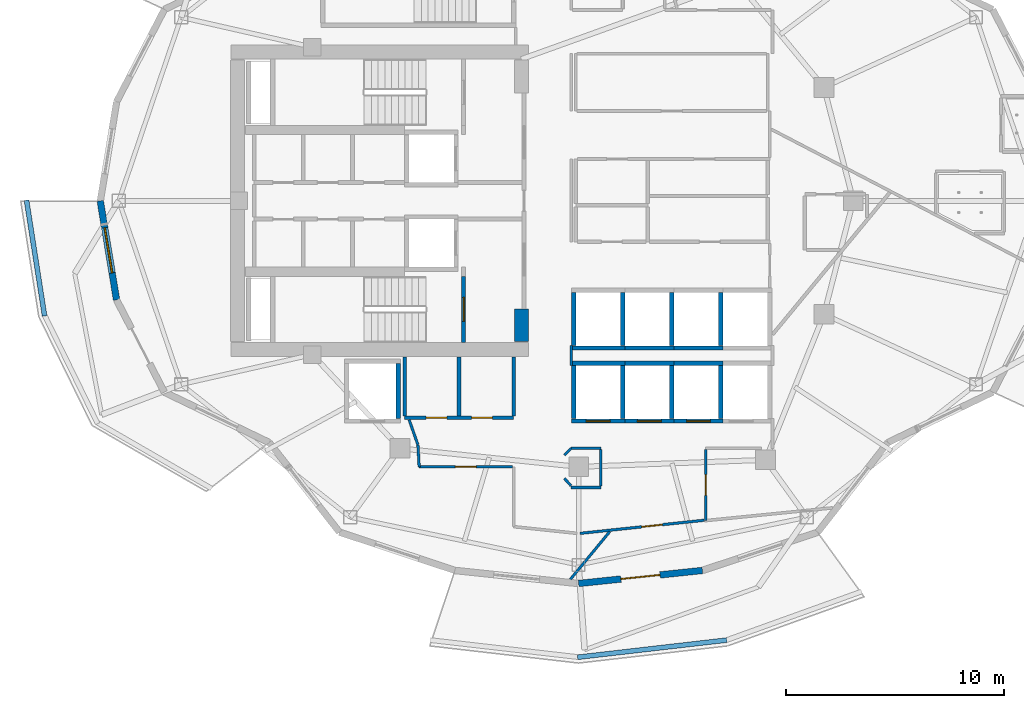
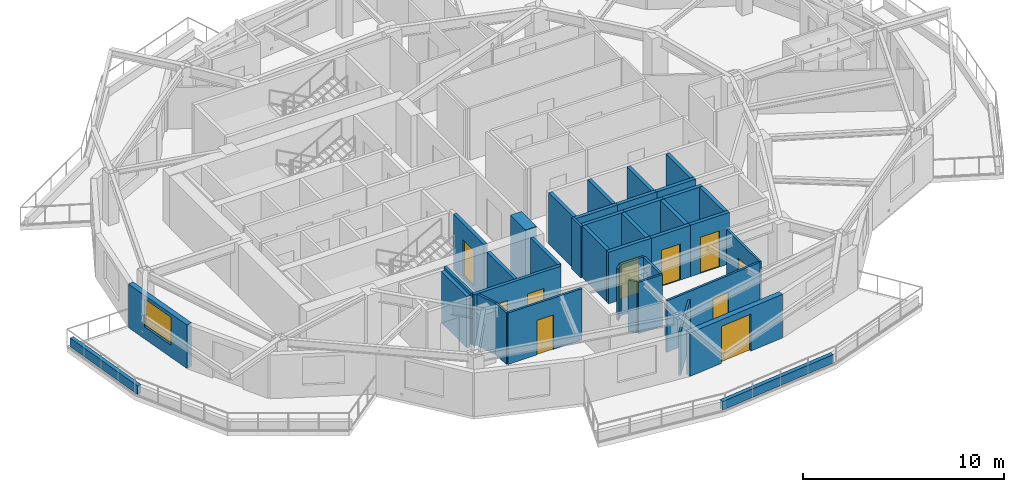
# One storey, part 3 of 14: 40 walls, 10 doors, 1 window, 11 openings.
"""IFC4 building model written with IfcOpenShell, lengths in metres."""

import ifcopenshell
import ifcopenshell.guid

model = None  # the IFC model being written
_history = None  # IfcOwnerHistory: only IFC2X3 demands one
_inside = {}  # id of a spatial element -> (the spatial element, [elements in it])
_under = {}  # id of a project, library or spatial element -> (it, [spatial elements below it])
_declared = {}  # id of a project -> (the project, [libraries it declares])
_typed = {}  # id of a type object -> (the type object, [elements of that type])
_made_of = {}  # id of a material, layer set ... -> (it, [elements and type objects made of it])


def new_model(schema):
    """Start an empty IFC model of exactly this schema.

    Asked for "IFC4X3", IfcOpenShell would pick the latest addendum, in which some entities
    have other attributes; the version numbers below select the first issue.
    IFC2X3 requires an IfcOwnerHistory on every rooted entity: one is made here for all.
    """
    global model, _history
    if schema == "IFC4X3":
        model = ifcopenshell.file(schema_version=(4, 3, 0, 0))
    else:
        model = ifcopenshell.file(schema=schema)
    _inside.clear()
    _under.clear()
    _declared.clear()
    _typed.clear()
    _made_of.clear()
    _history = None
    if model.schema == "IFC2X3":
        org = make("IfcOrganization", Name="unknown")
        user = make(
            "IfcPersonAndOrganization",
            ThePerson=make("IfcPerson", FamilyName="unknown"),
            TheOrganization=org,
        )
        app = make(
            "IfcApplication",
            ApplicationDeveloper=org,
            Version="unknown",
            ApplicationFullName="unknown",
            ApplicationIdentifier="unknown",
        )
        _history = make(
            "IfcOwnerHistory",
            OwningUser=user,
            OwningApplication=app,
            ChangeAction="ADDED",
            CreationDate=0,
        )
    return model


def make(cls, **values):
    """One entity of the class cls with the attributes given. An attribute that is None is left unset."""
    return model.create_entity(
        cls, **{name: value for name, value in values.items() if value is not None}
    )


def rooted(cls, **values):
    """An entity with a GlobalId (a new one), such as an element, a storey or a relation."""
    return make(cls, GlobalId=ifcopenshell.guid.new(), OwnerHistory=_history, **values)


def si_unit(unit_type, name, prefix=None):
    """IfcSIUnit, for example si_unit("LENGTHUNIT", "METRE", prefix="MILLI")."""
    return make("IfcSIUnit", UnitType=unit_type, Prefix=prefix, Name=name)


def assignment(units):
    """IfcUnitAssignment: the units of a project."""
    return None if units is None else make("IfcUnitAssignment", Units=units)


def point(xyz):
    """IfcCartesianPoint."""
    return None if xyz is None else make("IfcCartesianPoint", Coordinates=xyz)


def direction(xyz):
    """IfcDirection."""
    return None if xyz is None else make("IfcDirection", DirectionRatios=xyz)


def frame(location, z_axis=None, x_axis=None):
    """IfcAxis2Placement3D, a coordinate frame: its origin and axes. An axis left out is left unset."""
    return make(
        "IfcAxis2Placement3D",
        Location=point(location),
        Axis=direction(z_axis),
        RefDirection=direction(x_axis),
    )


def frame_2d(location, x_axis=None):
    """IfcAxis2Placement2D, a coordinate frame in the plane: its origin and x axis."""
    return make(
        "IfcAxis2Placement2D", Location=point(location), RefDirection=direction(x_axis)
    )


def origin():
    """The frame at (0, 0, 0) with its axes left unset."""
    return frame((0.0, 0.0, 0.0))


def place(relative_to, where):
    """IfcLocalPlacement: puts the frame where relative to a parent placement (None: the world)."""
    return make(
        "IfcLocalPlacement", PlacementRelTo=relative_to, RelativePlacement=where
    )


def context(
    kind, dimensions, precision=None, world=None, true_north=None, identifier=None
):
    """IfcGeometricRepresentationContext, for example the 3D "Model" context."""
    return make(
        "IfcGeometricRepresentationContext",
        ContextIdentifier=identifier,
        ContextType=kind,
        CoordinateSpaceDimension=dimensions,
        Precision=precision,
        WorldCoordinateSystem=world,
        TrueNorth=true_north,
    )


def subcontext(parent, identifier, kind, view, scale=None):
    """IfcGeometricRepresentationSubContext, for example "Body" below "Model"."""
    return make(
        "IfcGeometricRepresentationSubContext",
        ContextIdentifier=identifier,
        ContextType=kind,
        ParentContext=parent,
        TargetScale=scale,
        TargetView=view,
    )


def project(units=None, contexts=None):
    """IfcProject with its units and contexts."""
    return rooted(
        "IfcProject",
        Name="project",
        RepresentationContexts=contexts,
        UnitsInContext=assignment(units),
    )


def spatial(cls, under=None, at=None, **own):
    """A site, building, storey or space (cls), placed at a placement, below another one or the project."""
    s = rooted(cls, ObjectPlacement=at, **own)
    if under is not None:
        _under.setdefault(under.id(), (under, []))[1].append(s)
    return s


def profile(cls, at=None, kind="AREA", **sizes):
    """A parametric profile (cls). Its sizes go by their IFC names, for example OverallWidth=200.0."""
    return make(cls, ProfileType=kind, Position=at, **sizes)


def rectangle(**sizes):
    """IfcRectangleProfileDef."""
    return profile("IfcRectangleProfileDef", **sizes)


def extrude(swept, where, along, depth):
    """IfcExtrudedAreaSolid: the profile swept, set in the frame where, extruded along a direction by depth."""
    return make(
        "IfcExtrudedAreaSolid",
        SweptArea=swept,
        Position=where,
        ExtrudedDirection=direction(along),
        Depth=depth,
    )


def shape(context_of_items, identifier, shape_type, items):
    """IfcShapeRepresentation: the items that make up one representation, for example the "Body"."""
    return make(
        "IfcShapeRepresentation",
        ContextOfItems=context_of_items,
        RepresentationIdentifier=identifier,
        RepresentationType=shape_type,
        Items=items,
    )


def material(Name=None, Category=None):
    """IfcMaterial."""
    return make("IfcMaterial", Name=Name, Category=Category)


def layer(
    of_material, thickness, ventilated=None, Name=None, Category=None, Priority=None
):
    """IfcMaterialLayer: one layer of a wall or slab, of a material (None: an air gap)."""
    return make(
        "IfcMaterialLayer",
        Material=of_material,
        LayerThickness=thickness,
        IsVentilated=ventilated,
        Name=Name,
        Category=Category,
        Priority=Priority,
    )


def layer_set(layers, Name=None):
    """IfcMaterialLayerSet."""
    return make("IfcMaterialLayerSet", MaterialLayers=layers, LayerSetName=Name)


def made_of(thing, what):
    """Note that an element or type object is made of a material, layer set ...; save() writes the relation."""
    if what is not None:
        _made_of.setdefault(what.id(), (what, []))[1].append(thing)
    return thing


def type_object(cls, material=None, **own):
    """A type object (cls), such as IfcWallType, which elements share."""
    return made_of(rooted(cls, **own), material)


def element(
    cls,
    number,
    at=None,
    inside=None,
    cuts=None,
    type_object=None,
    material=None,
    context=None,
    identifier="Body",
    shape_type=None,
    held_by="IfcProductDefinitionShape",
    body=None,
    shapes=None,
    **own,
):
    """One element of the class cls, such as IfcWall. Its Tag is "e" and its number.

    at: its placement. inside: the storey or other place that contains it. cuts: it is an
    opening in that element (IfcRelVoidsElement). A single representation is given by context,
    identifier, shape_type and body (its items); several are given by shapes. held_by: the class
    of the entity that holds the representations. save() writes the other relations.
    """
    e = rooted(cls, Tag="e%d" % number, ObjectPlacement=at, **own)
    if body is not None:
        shapes = [shape(context, identifier, shape_type, body)]
    if shapes is not None:
        e.Representation = make(held_by, Representations=shapes)
    if inside is not None:
        _inside.setdefault(inside.id(), (inside, []))[1].append(e)
    if cuts is not None:
        rooted(
            "IfcRelVoidsElement", RelatingBuildingElement=cuts, RelatedOpeningElement=e
        )
    if type_object is not None:
        _typed.setdefault(type_object.id(), (type_object, []))[1].append(e)
    return made_of(e, material)


def fill(opening, filler):
    """IfcRelFillsElement: the door or window that sits in an opening."""
    return rooted(
        "IfcRelFillsElement",
        RelatingOpeningElement=opening,
        RelatedBuildingElement=filler,
    )


def aggregate(whole, parts):
    """IfcRelAggregates: a whole, such as a stair, and the parts it consists of."""
    return rooted("IfcRelAggregates", RelatingObject=whole, RelatedObjects=parts)


def save(model, path):
    """Write the relations noted so far, then the file.

    IfcRelAggregates (storeys below a building ...), IfcRelContainedInSpatialStructure (elements
    in a storey), IfcRelDefinesByType, IfcRelAssociatesMaterial and IfcRelDeclares: one each for
    every whole, place, type object, material and project.
    """
    for whole, parts in _under.values():
        aggregate(whole, parts)
    for where, things in _inside.values():
        rooted(
            "IfcRelContainedInSpatialStructure",
            RelatedElements=things,
            RelatingStructure=where,
        )
    for kind, things in _typed.values():
        rooted("IfcRelDefinesByType", RelatedObjects=things, RelatingType=kind)
    for what, things in _made_of.values():
        rooted("IfcRelAssociatesMaterial", RelatedObjects=things, RelatingMaterial=what)
    for by, libraries in _declared.values():
        rooted("IfcRelDeclares", RelatingContext=by, RelatedDefinitions=libraries)
    model.write(path)


model = new_model("IFC4")

# Units and contexts
model_context = context("Model", 3, precision=1e-05, world=origin(), true_north=direction((0.0, 1.0)))
body_context = subcontext(model_context, "Body", "Model", "MODEL_VIEW")
ifc_project = project(units=[si_unit("LENGTHUNIT", "METRE"), si_unit("AREAUNIT", "SQUARE_METRE"), si_unit("VOLUMEUNIT", "CUBIC_METRE"), si_unit("PLANEANGLEUNIT", "RADIAN"), si_unit("MASSUNIT", "GRAM", prefix="KILO")], contexts=[model_context])

# Site, building, storey
site_placement = place(None, origin())
site = spatial("IfcSite", under=ifc_project, at=site_placement, CompositionType="ELEMENT")
building_placement = place(site_placement, origin())
building = spatial("IfcBuilding", under=site, at=building_placement, Name="Kolvaren Gate Tower and Convention Centre", CompositionType="ELEMENT")
storey_placement = place(building_placement, frame((0.0, 0.0, 173.300048828125)))
storey = spatial("IfcBuildingStorey", under=building, at=storey_placement, Name="L45", CompositionType="ELEMENT", Elevation=173.300048828125)

# Wall, openings, doors
ifc_material_1 = material(Name="Autoclaved Aerated Masonry Blockwork Class 4 (4.0 MPa)", Category="masonry")
ifc_layer_1 = layer(ifc_material_1, 0.179931640625)
ifc_layer_set_1 = layer_set([ifc_layer_1], Name="Autoclaved Aerated Masonry Blockwork Class 4 (4.0 MPa)")
wall_type_1 = type_object("IfcWallType", Name="ARCH-WL-COMP-180", PredefinedType="SOLIDWALL", material=ifc_layer_set_1)
wall_1_placement = place(storey_placement, frame((22.14990234375, 17.050048828125, 0.0), z_axis=(0.0, 0.0, 1.0), x_axis=(1.0, 0.0, 0.0)))
wall_1 = element("IfcWall", 1, at=wall_1_placement, inside=storey, type_object=wall_type_1, Name="Interior Partition WL-L45-INT-011", PredefinedType="SOLIDWALL", context=body_context, shape_type="SweptSolid", body=[
    extrude(rectangle(XDim=5.0, YDim=0.179931640625, at=frame_2d((2.5, 0.0))), origin(), (0.0, 0.0, 1.0), 3.1298828125),
])
opening_1_placement = place(wall_1_placement, frame((0.97998046875, 0.0, 0.0)))
opening_1 = element("IfcOpeningElement", 2, at=opening_1_placement, cuts=wall_1, Name="Opening DR-01", PredefinedType="OPENING", context=body_context, shape_type="SweptSolid", body=[
    extrude(rectangle(XDim=0.949951171875, YDim=2.10009765625, at=frame_2d((0.47509765625, 1.050048828125))), frame((0.0, 0.099853515625, 0.0), z_axis=(0.0, -1.0, 0.0), x_axis=(1.0, 0.0, 0.0)), (0.0, 0.0, 1.0), 0.199951171875),
])
opening_2_placement = place(wall_1_placement, frame((3.070068359375, 0.0, 0.0)))
opening_2 = element("IfcOpeningElement", 3, at=opening_2_placement, cuts=wall_1, Name="Opening DR-01", PredefinedType="OPENING", context=body_context, shape_type="SweptSolid", body=[
    extrude(rectangle(XDim=0.949951171875, YDim=2.10009765625, at=frame_2d((0.47509765625, 1.050048828125))), frame((0.0, 0.099853515625, 0.0), z_axis=(0.0, -1.0, 0.0), x_axis=(1.0, 0.0, 0.0)), (0.0, 0.0, 1.0), 0.199951171875),
])
ifc_material_2 = material(Name="Painted Architectural Steelwork ASTM A500 Grade C 345 MPa", Category="steel")
door_type_1 = type_object("IfcDoorType", Name="ARCH-DR-RISER-950", OperationType="SINGLE_SWING_RIGHT", PredefinedType="DOOR", material=ifc_material_2)
door_1_placement = place(opening_1_placement, origin())
door_1 = element("IfcDoor", 4, at=door_1_placement, inside=storey, type_object=door_type_1, Name="West Valet Store Door", OperationType="SINGLE_SWING_RIGHT", OverallHeight=2.10009765625, OverallWidth=0.949951171875, PredefinedType="DOOR", context=body_context, shape_type="SweptSolid", body=[
    extrude(rectangle(XDim=0.949951171875, YDim=2.10009765625, at=frame_2d((0.47509765625, 1.050048828125))), frame((0.0, 0.02490234375, 0.0), z_axis=(0.0, -1.0, 0.0), x_axis=(1.0, 0.0, 0.0)), (0.0, 0.0, 1.0), 0.050048828125),
])
fill(opening_1, door_1)
door_2_placement = place(opening_2_placement, origin())
door_2 = element("IfcDoor", 5, at=door_2_placement, inside=storey, type_object=door_type_1, Name="Metering Switch Room Door", OperationType="SINGLE_SWING_LEFT", OverallHeight=2.10009765625, OverallWidth=0.949951171875, PredefinedType="DOOR", context=body_context, shape_type="SweptSolid", body=[
    extrude(rectangle(XDim=0.949951171875, YDim=2.10009765625, at=frame_2d((0.47509765625, 1.050048828125))), frame((0.0, 0.02490234375, 0.0), z_axis=(0.0, -1.0, 0.0), x_axis=(1.0, 0.0, 0.0)), (0.0, 0.0, 1.0), 0.050048828125),
])
fill(opening_2, door_2)

# Walls
for number, where, z_axis, x_axis, name in (
    (6, (24.64990234375, 17.14208984375, 0.0), (0.0, 0.0, 1.0), (0.0, 1.0, 0.0), "Interior Partition WL-L45-INT-013"),
    (7, (27.14990234375, 17.14208984375, 0.0), (0.0, 0.0, 1.0), (0.0, 1.0, 0.0), "Interior Partition WL-L45-INT-015"),
):
    element("IfcWall", number, at=place(storey_placement, frame(where, z_axis=z_axis, x_axis=x_axis)), inside=storey, type_object=wall_type_1, Name=name, PredefinedType="SOLIDWALL", context=body_context, shape_type="SweptSolid", body=[
        extrude(rectangle(XDim=2.705810546875, YDim=0.179931640625, at=frame_2d((1.35302734375, 0.0))), origin(), (0.0, 0.0, 1.0), 3.1298828125),
    ])
ifc_material_3 = material(Name="Fire-Rated Acoustic Gypsum Stud Partition", Category="gypsum")
ifc_layer_2 = layer(ifc_material_3, 0.1201171875)
ifc_layer_set_2 = layer_set([ifc_layer_2], Name="Fire-Rated Acoustic Gypsum Stud Partition")
wall_type_2 = type_object("IfcWallType", Name="ARCH-WL-PART-120", PredefinedType="PARTITIONING", material=ifc_layer_set_2)
wall_2_placement = place(storey_placement, frame((29.780029296875, 15.64990234375, 0.0), z_axis=(0.0, 0.0, 1.0), x_axis=(1.0, 0.0, 0.0)))
element("IfcWall", 8, at=wall_2_placement, inside=storey, type_object=wall_type_2, Name="Interior Partition WL-L45-INT-029", PredefinedType="PARTITIONING", context=body_context, shape_type="SweptSolid", body=[
    extrude(rectangle(XDim=1.369873046875, YDim=0.1201171875, at=frame_2d((0.68505859375, 0.0))), origin(), (0.0, 0.0, 1.0), 3.1298828125),
])

# Wall, opening, door
wall_3_placement = place(storey_placement, frame((35.949951171875, 12.345947265625, 0.0), z_axis=(0.0, 0.0, 1.0), x_axis=(0.0, 1.0, 0.0)))
wall_3 = element("IfcWall", 9, at=wall_3_placement, inside=storey, type_object=wall_type_2, Name="Interior Partition WL-L45-INT-031", PredefinedType="PARTITIONING", context=body_context, shape_type="SweptSolid", body=[
    extrude(rectangle(XDim=3.241943359375, YDim=0.1201171875, at=frame_2d((1.62109375, 0.0))), origin(), (0.0, 0.0, 1.0), 3.1298828125),
])
opening_3_placement = place(wall_3_placement, frame((1.14599609375, 0.0, 0.0)))
opening_3 = element("IfcOpeningElement", 10, at=opening_3_placement, cuts=wall_3, Name="Opening DR-01", PredefinedType="OPENING", context=body_context, shape_type="SweptSolid", body=[
    extrude(rectangle(XDim=0.949951171875, YDim=2.10009765625, at=frame_2d((0.47509765625, 1.050048828125))), frame((0.0, 0.070068359375, 0.0), z_axis=(0.0, -1.0, 0.0), x_axis=(1.0, 0.0, 0.0)), (0.0, 0.0, 1.0), 0.14013671875),
])
door_3_placement = place(opening_3_placement, origin())
door_3 = element("IfcDoor", 11, at=door_3_placement, inside=storey, type_object=door_type_1, Name="Hotel Executive Business Office Door", OperationType="SINGLE_SWING_LEFT", OverallHeight=2.10009765625, OverallWidth=0.949951171875, PredefinedType="DOOR", context=body_context, shape_type="SweptSolid", body=[
    extrude(rectangle(XDim=0.949951171875, YDim=2.10009765625, at=frame_2d((0.47509765625, 1.050048828125))), frame((0.0, 0.02490234375, 0.0), z_axis=(0.0, -1.0, 0.0), x_axis=(1.0, 0.0, 0.0)), (0.0, 0.0, 1.0), 0.050048828125),
])
fill(opening_3, door_3)

wall_4_placement = place(storey_placement, frame((30.195068359375, 11.75, 0.0), z_axis=(0.0, 0.0, 1.0), x_axis=(0.994498907508, 0.104746947287, 0.0)))
wall_4 = element("IfcWall", 12, at=wall_4_placement, inside=storey, type_object=wall_type_2, Name="Interior Partition WL-L45-INT-032", PredefinedType="PARTITIONING", context=body_context, shape_type="SweptSolid", body=[
    extrude(rectangle(XDim=5.724365234375, YDim=0.1201171875, at=frame_2d((2.8623046875, 0.0))), origin(), (0.0, 0.0, 1.0), 3.1298828125),
])
opening_4_placement = place(wall_4_placement, frame((2.843994140625, 0.0, 0.0)))
opening_4 = element("IfcOpeningElement", 13, at=opening_4_placement, cuts=wall_4, Name="Opening DR-01", PredefinedType="OPENING", context=body_context, shape_type="SweptSolid", body=[
    extrude(rectangle(XDim=0.949951171875, YDim=2.10009765625, at=frame_2d((0.47509765625, 1.050048828125))), frame((0.0, 0.070068359375, 0.0), z_axis=(0.0, -1.0, 0.0), x_axis=(1.0, 0.0, 0.0)), (0.0, 0.0, 1.0), 0.14013671875),
])
door_4_placement = place(opening_4_placement, origin())
door_4 = element("IfcDoor", 14, at=door_4_placement, inside=storey, type_object=door_type_1, Name="Hotel Executive Business Office Door", OperationType="SINGLE_SWING_RIGHT", OverallHeight=2.10009765625, OverallWidth=0.949951171875, PredefinedType="DOOR", context=body_context, shape_type="SweptSolid", body=[
    extrude(rectangle(XDim=0.949951171875, YDim=2.10009765625, at=frame_2d((0.47509765625, 1.050048828125))), frame((0.0, 0.02490234375, 0.0), z_axis=(0.0, -1.0, 0.0), x_axis=(1.0, 0.0, 0.0)), (0.0, 0.0, 1.0), 0.050048828125),
])
fill(opening_4, door_4)

wall_5_placement = place(storey_placement, frame((22.81396484375, 14.800048828125, 0.0), z_axis=(0.0, 0.0, 1.0), x_axis=(1.0, 0.0, 0.0)))
wall_5 = element("IfcWall", 15, at=wall_5_placement, inside=storey, type_object=wall_type_2, Name="Interior Partition WL-L45-INT-034", PredefinedType="PARTITIONING", context=body_context, shape_type="SweptSolid", body=[
    extrude(rectangle(XDim=4.27392578125, YDim=0.1201171875, at=frame_2d((2.136962890625, 0.0))), origin(), (0.0, 0.0, 1.0), 3.1298828125),
])
opening_5_placement = place(wall_5_placement, frame((1.662109375, 0.0, 0.0)))
opening_5 = element("IfcOpeningElement", 16, at=opening_5_placement, cuts=wall_5, Name="Opening DR-01", PredefinedType="OPENING", context=body_context, shape_type="SweptSolid", body=[
    extrude(rectangle(XDim=0.949951171875, YDim=2.10009765625, at=frame_2d((0.47509765625, 1.050048828125))), frame((0.0, 0.070068359375, 0.0), z_axis=(0.0, -1.0, 0.0), x_axis=(1.0, 0.0, 0.0)), (0.0, 0.0, 1.0), 0.14013671875),
])
door_5_placement = place(opening_5_placement, origin())
door_5 = element("IfcDoor", 17, at=door_5_placement, inside=storey, type_object=door_type_1, Name="Luxury Retail Boutique Door", OperationType="SINGLE_SWING_LEFT", OverallHeight=2.10009765625, OverallWidth=0.949951171875, PredefinedType="DOOR", context=body_context, shape_type="SweptSolid", body=[
    extrude(rectangle(XDim=0.949951171875, YDim=2.10009765625, at=frame_2d((0.47509765625, 1.050048828125))), frame((0.0, 0.02490234375, 0.0), z_axis=(0.0, -1.0, 0.0), x_axis=(1.0, 0.0, 0.0)), (0.0, 0.0, 1.0), 0.050048828125),
])
fill(opening_5, door_5)

# Walls
wall_6_placement = place(storey_placement, frame((22.756103515625, 15.81103515625, 0.0), z_axis=(0.0, 0.0, 1.0), x_axis=(0.057139047697, -0.998366230012, 0.0)))
element("IfcWall", 18, at=wall_6_placement, inside=storey, type_object=wall_type_2, Name="Interior Partition WL-L45-INT-035", PredefinedType="PARTITIONING", context=body_context, shape_type="SweptSolid", body=[
    extrude(rectangle(XDim=1.0126953125, YDim=0.1201171875, at=frame_2d((0.50634765625, 0.0))), origin(), (0.0, 0.0, 1.0), 3.1298828125),
])
wall_7_placement = place(storey_placement, frame((22.353271484375, 16.9580078125, 0.0), z_axis=(0.0, 0.0, 1.0), x_axis=(0.331370038458, -0.943500873138, 0.0)))
element("IfcWall", 19, at=wall_7_placement, inside=storey, type_object=wall_type_2, Name="Interior Partition WL-L45-INT-036", PredefinedType="PARTITIONING", context=body_context, shape_type="SweptSolid", body=[
    extrude(rectangle(XDim=1.215576171875, YDim=0.1201171875, at=frame_2d((0.60791015625, 0.0))), origin(), (0.0, 0.0, 1.0), 3.1298828125),
])
wall_8_placement = place(storey_placement, frame((29.780029296875, 19.43994140625, 0.0), z_axis=(0.0, 0.0, 1.0), x_axis=(0.0, 1.0, 0.0)))
element("IfcWall", 20, at=wall_8_placement, inside=storey, type_object=wall_type_2, Name="Interior Partition WL-L45-INT-039", PredefinedType="PARTITIONING", context=body_context, shape_type="SweptSolid", body=[
    extrude(rectangle(XDim=0.920166015625, YDim=0.1201171875, at=frame_2d((0.4599609375, 0.0))), origin(), (0.0, 0.0, 1.0), 3.1298828125),
])
wall_9_placement = place(storey_placement, frame((29.47607421875, 15.3330078125, 0.0), z_axis=(0.0, 0.0, 1.0), x_axis=(0.692219273951, 0.721687243043, 0.0)))
element("IfcWall", 21, at=wall_9_placement, inside=storey, type_object=wall_type_2, Name="Interior Partition WL-L45-INT-050", PredefinedType="PARTITIONING", context=body_context, shape_type="SweptSolid", body=[
    extrude(rectangle(XDim=0.439208984375, YDim=0.1201171875, at=frame_2d((0.2197265625, 0.0))), origin(), (0.0, 0.0, 1.0), 3.1298828125),
])
wall_10_placement = place(storey_placement, frame((29.47607421875, 14.26708984375, 0.0), z_axis=(0.0, 0.0, 1.0), x_axis=(0.670659392016, -0.741765448037, 0.0)))
element("IfcWall", 22, at=wall_10_placement, inside=storey, type_object=wall_type_2, Name="Interior Partition WL-L45-INT-051", PredefinedType="PARTITIONING", context=body_context, shape_type="SweptSolid", body=[
    extrude(rectangle(XDim=0.453125, YDim=0.1201171875, at=frame_2d((0.2265625, 0.0))), origin(), (0.0, 0.0, 1.0), 3.1298828125),
])
wall_11_placement = place(storey_placement, frame((29.780029296875, 13.85009765625, 0.0), z_axis=(0.0, 0.0, 1.0), x_axis=(1.0, 0.0, 0.0)))
element("IfcWall", 23, at=wall_11_placement, inside=storey, type_object=wall_type_2, Name="Interior Partition WL-L45-INT-052", PredefinedType="PARTITIONING", context=body_context, shape_type="SweptSolid", body=[
    extrude(rectangle(XDim=1.369873046875, YDim=0.1201171875, at=frame_2d((0.68505859375, 0.0))), origin(), (0.0, 0.0, 1.0), 3.1298828125),
])
wall_12_placement = place(storey_placement, frame((31.14990234375, 13.912109375, 0.0), z_axis=(0.0, 0.0, 1.0), x_axis=(0.0, 1.0, 0.0)))
element("IfcWall", 24, at=wall_12_placement, inside=storey, type_object=wall_type_2, Name="Interior Partition WL-L45-INT-053", PredefinedType="PARTITIONING", context=body_context, shape_type="SweptSolid", body=[
    extrude(rectangle(XDim=1.67578125, YDim=0.1201171875, at=frame_2d((0.837890625, 0.0))), origin(), (0.0, 0.0, 1.0), 3.1298828125),
])
wall_13_placement = place(storey_placement, frame((29.749755859375, 9.642333984375, 0.0), z_axis=(0.0, 0.0, 1.0), x_axis=(0.636683591353, 0.771125154888, 0.0)))
element("IfcWall", 25, at=wall_13_placement, inside=storey, type_object=wall_type_2, Name="Interior Partition WL-L45-INT-056", PredefinedType="PARTITIONING", context=body_context, shape_type="SweptSolid", body=[
    extrude(rectangle(XDim=2.83837890625, YDim=0.1201171875, at=frame_2d((1.419189453125, 0.0))), origin(), (0.0, 0.0, 1.0), 2.65283203125),
])
ifc_material_4 = material(Name="Piedmont Cream Honed Limestone Cladding", Category="masonry")
ifc_layer_3 = layer(ifc_material_4, 0.219970703125)
ifc_layer_set_3 = layer_set([ifc_layer_3], Name="Piedmont Cream Honed Limestone Cladding")
wall_type_3 = type_object("IfcWallType", Name="ARCH-WL-PLANTER-220", PredefinedType="PARAPET", material=ifc_layer_set_3)
wall_14_placement = place(storey_placement, frame((4.805908203125, 27.029296875, 0.0), z_axis=(0.0, 0.0, 1.0), x_axis=(0.154245214003, -0.988032597619, 0.0)))
element("IfcWall", 26, at=wall_14_placement, inside=storey, type_object=wall_type_3, Name="Vertical-Forest Balcony Stone Planter Kerb PK-L45-2.1", PredefinedType="PARAPET", context=body_context, shape_type="SweptSolid", body=[
    extrude(rectangle(XDim=5.37353515625, YDim=0.219970703125, at=frame_2d((2.686767578125, 0.0))), origin(), (0.0, 0.0, 1.0), 0.52001953125),
])
wall_15_placement = place(storey_placement, frame((30.07958984375, 6.06640625, 0.0), z_axis=(0.0, 0.0, 1.0), x_axis=(0.993440576506, 0.114349555972, 0.0)))
element("IfcWall", 27, at=wall_15_placement, inside=storey, type_object=wall_type_3, Name="Vertical-Forest Balcony Stone Planter Kerb PK-L45-3.2", PredefinedType="PARAPET", context=body_context, shape_type="SweptSolid", body=[
    extrude(rectangle(XDim=6.885498046875, YDim=0.219970703125, at=frame_2d((3.44287109375, 0.0))), origin(), (0.0, 0.0, 1.0), 0.52001953125),
])
ifc_layer_4 = layer(ifc_material_1, 0.199951171875)
ifc_layer_set_4 = layer_set([ifc_layer_4], Name="Autoclaved Aerated Masonry Blockwork Class 4 (4.0 MPa)")
wall_type_4 = type_object("IfcWallType", Name="ARCH-WL-SHAFT-200", PredefinedType="SOLIDWALL", material=ifc_layer_set_4)
wall_16_placement = place(storey_placement, frame((21.85009765625, 17.010009765625, 0.0), z_axis=(0.0, 0.0, 1.0), x_axis=(0.0, 1.0, 0.0)))
element("IfcWall", 28, at=wall_16_placement, inside=storey, type_object=wall_type_4, Name="Elevator SV-01 L45 Fire Shaft Wall E", PredefinedType="SOLIDWALL", context=body_context, shape_type="SweptSolid", body=[
    extrude(rectangle(XDim=2.530029296875, YDim=0.199951171875, at=frame_2d((1.26513671875, 0.0))), origin(), (0.0, 0.0, 1.0), 3.1298828125),
])
wall_17_placement = place(storey_placement, frame((29.800048828125, 19.550048828125, 0.0), z_axis=(0.0, 0.0, 1.0), x_axis=(1.0, 0.0, 0.0)))
element("IfcWall", 29, at=wall_17_placement, inside=storey, type_object=wall_type_4, Name="Elevator PL-05 L45 Fire Shaft Wall N", PredefinedType="SOLIDWALL", context=body_context, shape_type="SweptSolid", body=[
    extrude(rectangle(XDim=2.449951171875, YDim=0.199951171875, at=frame_2d((1.22509765625, 0.0))), origin(), (0.0, 0.0, 1.0), 3.1298828125),
])

# Wall, opening, door
wall_18_placement = place(storey_placement, frame((29.800048828125, 16.89990234375, 0.0), z_axis=(0.0, 0.0, 1.0), x_axis=(1.0, 0.0, 0.0)))
wall_18 = element("IfcWall", 30, at=wall_18_placement, inside=storey, type_object=wall_type_4, Name="Elevator PL-05 L45 Fire Shaft Wall S", PredefinedType="SOLIDWALL", context=body_context, shape_type="SweptSolid", body=[
    extrude(rectangle(XDim=2.449951171875, YDim=0.199951171875, at=frame_2d((1.22509765625, 0.0))), origin(), (0.0, 0.0, 1.0), 3.1298828125),
])
opening_6_placement = place(wall_18_placement, frame((0.675048828125, 0.0, 0.0)))
opening_6 = element("IfcOpeningElement", 31, at=opening_6_placement, cuts=wall_18, Name="Opening LD", PredefinedType="OPENING", context=body_context, shape_type="SweptSolid", body=[
    extrude(rectangle(XDim=1.10009765625, YDim=2.199951171875, at=frame_2d((0.550048828125, 1.10009765625))), frame((0.0, 0.10986328125, 0.0), z_axis=(0.0, -1.0, 0.0), x_axis=(1.0, 0.0, 0.0)), (0.0, 0.0, 1.0), 0.219970703125),
])
ifc_material_5 = material(Name="Brushed Stainless Steel Grade 316L", Category="steel")
door_type_2 = type_object("IfcDoorType", Name="ARCH-DR-LIFT-1100", OperationType="SLIDING_TO_LEFT", PredefinedType="DOOR", material=ifc_material_5)
door_6_placement = place(opening_6_placement, origin())
door_6 = element("IfcDoor", 32, at=door_6_placement, inside=storey, type_object=door_type_2, Name="Elevator PL-05 L45 Sliding Landing Door", OperationType="SLIDING_TO_LEFT", OverallHeight=2.199951171875, OverallWidth=1.10009765625, PredefinedType="DOOR", context=body_context, shape_type="SweptSolid", body=[
    extrude(rectangle(XDim=1.10009765625, YDim=2.199951171875, at=frame_2d((0.550048828125, 1.10009765625))), frame((0.0, 0.02490234375, 0.0), z_axis=(0.0, -1.0, 0.0), x_axis=(1.0, 0.0, 0.0)), (0.0, 0.0, 1.0), 0.050048828125),
])
fill(opening_6, door_6)

# Walls
for number, where, z_axis, x_axis, name in (
    (33, (29.89990234375, 17.010009765625, 0.0), (0.0, 0.0, 1.0), (0.0, 1.0, 0.0), "Elevator PL-05 L45 Fire Shaft Wall W"),
    (34, (32.14990234375, 17.010009765625, 0.0), (0.0, 0.0, 1.0), (0.0, 1.0, 0.0), "Elevator PL-05 L45 Fire Shaft Wall E"),
):
    element("IfcWall", number, at=place(storey_placement, frame(where, z_axis=z_axis, x_axis=x_axis)), inside=storey, type_object=wall_type_4, Name=name, PredefinedType="SOLIDWALL", context=body_context, shape_type="SweptSolid", body=[
        extrude(rectangle(XDim=2.429931640625, YDim=0.199951171875, at=frame_2d((1.21484375, 0.0))), origin(), (0.0, 0.0, 1.0), 3.1298828125),
    ])
wall_19_placement = place(storey_placement, frame((32.25, 19.550048828125, 0.0), z_axis=(0.0, 0.0, 1.0), x_axis=(1.0, 0.0, 0.0)))
element("IfcWall", 35, at=wall_19_placement, inside=storey, type_object=wall_type_4, Name="Elevator PL-06 L45 Fire Shaft Wall N", PredefinedType="SOLIDWALL", context=body_context, shape_type="SweptSolid", body=[
    extrude(rectangle(XDim=2.25, YDim=0.199951171875, at=frame_2d((1.125, 0.0))), origin(), (0.0, 0.0, 1.0), 3.1298828125),
])

# Wall, opening, door
wall_20_placement = place(storey_placement, frame((32.25, 16.89990234375, 0.0), z_axis=(0.0, 0.0, 1.0), x_axis=(1.0, 0.0, 0.0)))
wall_20 = element("IfcWall", 36, at=wall_20_placement, inside=storey, type_object=wall_type_4, Name="Elevator PL-06 L45 Fire Shaft Wall S", PredefinedType="SOLIDWALL", context=body_context, shape_type="SweptSolid", body=[
    extrude(rectangle(XDim=2.25, YDim=0.199951171875, at=frame_2d((1.125, 0.0))), origin(), (0.0, 0.0, 1.0), 3.1298828125),
])
opening_7_placement = place(wall_20_placement, frame((0.574951171875, 0.0, 0.0)))
opening_7 = element("IfcOpeningElement", 37, at=opening_7_placement, cuts=wall_20, Name="Opening LD", PredefinedType="OPENING", context=body_context, shape_type="SweptSolid", body=[
    extrude(rectangle(XDim=1.10009765625, YDim=2.199951171875, at=frame_2d((0.550048828125, 1.10009765625))), frame((0.0, 0.10986328125, 0.0), z_axis=(0.0, -1.0, 0.0), x_axis=(1.0, 0.0, 0.0)), (0.0, 0.0, 1.0), 0.219970703125),
])
door_7_placement = place(opening_7_placement, origin())
door_7 = element("IfcDoor", 38, at=door_7_placement, inside=storey, type_object=door_type_2, Name="Elevator PL-06 L45 Sliding Landing Door", OperationType="SLIDING_TO_LEFT", OverallHeight=2.199951171875, OverallWidth=1.10009765625, PredefinedType="DOOR", context=body_context, shape_type="SweptSolid", body=[
    extrude(rectangle(XDim=1.10009765625, YDim=2.199951171875, at=frame_2d((0.550048828125, 1.10009765625))), frame((0.0, 0.02490234375, 0.0), z_axis=(0.0, -1.0, 0.0), x_axis=(1.0, 0.0, 0.0)), (0.0, 0.0, 1.0), 0.050048828125),
])
fill(opening_7, door_7)

# Walls
wall_21_placement = place(storey_placement, frame((34.39990234375, 17.010009765625, 0.0), z_axis=(0.0, 0.0, 1.0), x_axis=(0.0, 1.0, 0.0)))
element("IfcWall", 39, at=wall_21_placement, inside=storey, type_object=wall_type_4, Name="Elevator PL-06 L45 Fire Shaft Wall E", PredefinedType="SOLIDWALL", context=body_context, shape_type="SweptSolid", body=[
    extrude(rectangle(XDim=2.429931640625, YDim=0.199951171875, at=frame_2d((1.21484375, 0.0))), origin(), (0.0, 0.0, 1.0), 3.1298828125),
])
wall_22_placement = place(storey_placement, frame((34.5, 19.550048828125, 0.0), z_axis=(0.0, 0.0, 1.0), x_axis=(1.0, 0.0, 0.0)))
element("IfcWall", 40, at=wall_22_placement, inside=storey, type_object=wall_type_4, Name="Elevator PL-07 L45 Fire Shaft Wall N", PredefinedType="SOLIDWALL", context=body_context, shape_type="SweptSolid", body=[
    extrude(rectangle(XDim=2.25, YDim=0.199951171875, at=frame_2d((1.125, 0.0))), origin(), (0.0, 0.0, 1.0), 3.1298828125),
])

# Wall, opening, door
wall_23_placement = place(storey_placement, frame((34.5, 16.89990234375, 0.0), z_axis=(0.0, 0.0, 1.0), x_axis=(1.0, 0.0, 0.0)))
wall_23 = element("IfcWall", 41, at=wall_23_placement, inside=storey, type_object=wall_type_4, Name="Elevator PL-07 L45 Fire Shaft Wall S", PredefinedType="SOLIDWALL", context=body_context, shape_type="SweptSolid", body=[
    extrude(rectangle(XDim=2.25, YDim=0.199951171875, at=frame_2d((1.125, 0.0))), origin(), (0.0, 0.0, 1.0), 3.1298828125),
])
opening_8_placement = place(wall_23_placement, frame((0.574951171875, 0.0, 0.0)))
opening_8 = element("IfcOpeningElement", 42, at=opening_8_placement, cuts=wall_23, Name="Opening LD", PredefinedType="OPENING", context=body_context, shape_type="SweptSolid", body=[
    extrude(rectangle(XDim=1.10009765625, YDim=2.199951171875, at=frame_2d((0.550048828125, 1.10009765625))), frame((0.0, 0.10986328125, 0.0), z_axis=(0.0, -1.0, 0.0), x_axis=(1.0, 0.0, 0.0)), (0.0, 0.0, 1.0), 0.219970703125),
])
door_8_placement = place(opening_8_placement, origin())
door_8 = element("IfcDoor", 43, at=door_8_placement, inside=storey, type_object=door_type_2, Name="Elevator PL-07 L45 Sliding Landing Door", OperationType="SLIDING_TO_LEFT", OverallHeight=2.199951171875, OverallWidth=1.10009765625, PredefinedType="DOOR", context=body_context, shape_type="SweptSolid", body=[
    extrude(rectangle(XDim=1.10009765625, YDim=2.199951171875, at=frame_2d((0.550048828125, 1.10009765625))), frame((0.0, 0.02490234375, 0.0), z_axis=(0.0, -1.0, 0.0), x_axis=(1.0, 0.0, 0.0)), (0.0, 0.0, 1.0), 0.050048828125),
])
fill(opening_8, door_8)

# Walls
wall_24_placement = place(storey_placement, frame((36.64990234375, 17.010009765625, 0.0), z_axis=(0.0, 0.0, 1.0), x_axis=(0.0, 1.0, 0.0)))
element("IfcWall", 44, at=wall_24_placement, inside=storey, type_object=wall_type_4, Name="Elevator PL-07 L45 Fire Shaft Wall E", PredefinedType="SOLIDWALL", context=body_context, shape_type="SweptSolid", body=[
    extrude(rectangle(XDim=2.429931640625, YDim=0.199951171875, at=frame_2d((1.21484375, 0.0))), origin(), (0.0, 0.0, 1.0), 3.1298828125),
])
wall_25_placement = place(storey_placement, frame((29.800048828125, 20.25, 0.0), z_axis=(0.0, 0.0, 1.0), x_axis=(1.0, 0.0, 0.0)))
element("IfcWall", 45, at=wall_25_placement, inside=storey, type_object=wall_type_4, Name="Elevator PL-09 L45 Fire Shaft Wall S", PredefinedType="SOLIDWALL", context=body_context, shape_type="SweptSolid", body=[
    extrude(rectangle(XDim=2.449951171875, YDim=0.199951171875, at=frame_2d((1.22509765625, 0.0))), origin(), (0.0, 0.0, 1.0), 3.1298828125),
])
for number, where, z_axis, x_axis, name in (
    (46, (29.89990234375, 20.360107421875, 0.0), (0.0, 0.0, 1.0), (0.0, 1.0, 0.0), "Elevator PL-09 L45 Fire Shaft Wall W"),
    (47, (32.14990234375, 20.360107421875, 0.0), (0.0, 0.0, 1.0), (0.0, 1.0, 0.0), "Elevator PL-09 L45 Fire Shaft Wall E"),
):
    element("IfcWall", number, at=place(storey_placement, frame(where, z_axis=z_axis, x_axis=x_axis)), inside=storey, type_object=wall_type_4, Name=name, PredefinedType="SOLIDWALL", context=body_context, shape_type="SweptSolid", body=[
        extrude(rectangle(XDim=2.429931640625, YDim=0.199951171875, at=frame_2d((1.21484375, 0.0))), origin(), (0.0, 0.0, 1.0), 3.1298828125),
    ])
wall_26_placement = place(storey_placement, frame((32.25, 20.25, 0.0), z_axis=(0.0, 0.0, 1.0), x_axis=(1.0, 0.0, 0.0)))
element("IfcWall", 48, at=wall_26_placement, inside=storey, type_object=wall_type_4, Name="Elevator PL-10 L45 Fire Shaft Wall S", PredefinedType="SOLIDWALL", context=body_context, shape_type="SweptSolid", body=[
    extrude(rectangle(XDim=2.25, YDim=0.199951171875, at=frame_2d((1.125, 0.0))), origin(), (0.0, 0.0, 1.0), 3.1298828125),
])
wall_27_placement = place(storey_placement, frame((34.39990234375, 20.360107421875, 0.0), z_axis=(0.0, 0.0, 1.0), x_axis=(0.0, 1.0, 0.0)))
element("IfcWall", 49, at=wall_27_placement, inside=storey, type_object=wall_type_4, Name="Elevator PL-10 L45 Fire Shaft Wall E", PredefinedType="SOLIDWALL", context=body_context, shape_type="SweptSolid", body=[
    extrude(rectangle(XDim=2.429931640625, YDim=0.199951171875, at=frame_2d((1.21484375, 0.0))), origin(), (0.0, 0.0, 1.0), 3.1298828125),
])
wall_28_placement = place(storey_placement, frame((34.5, 20.25, 0.0), z_axis=(0.0, 0.0, 1.0), x_axis=(1.0, 0.0, 0.0)))
element("IfcWall", 50, at=wall_28_placement, inside=storey, type_object=wall_type_4, Name="Elevator PL-11 L45 Fire Shaft Wall S", PredefinedType="SOLIDWALL", context=body_context, shape_type="SweptSolid", body=[
    extrude(rectangle(XDim=2.25, YDim=0.199951171875, at=frame_2d((1.125, 0.0))), origin(), (0.0, 0.0, 1.0), 3.1298828125),
])
wall_29_placement = place(storey_placement, frame((36.64990234375, 20.360107421875, 0.0), z_axis=(0.0, 0.0, 1.0), x_axis=(0.0, 1.0, 0.0)))
element("IfcWall", 51, at=wall_29_placement, inside=storey, type_object=wall_type_4, Name="Elevator PL-11 L45 Fire Shaft Wall E", PredefinedType="SOLIDWALL", context=body_context, shape_type="SweptSolid", body=[
    extrude(rectangle(XDim=2.429931640625, YDim=0.199951171875, at=frame_2d((1.21484375, 0.0))), origin(), (0.0, 0.0, 1.0), 3.1298828125),
])

# Wall, opening, window
ifc_layer_5 = layer(ifc_material_4, 0.300048828125)
ifc_layer_set_5 = layer_set([ifc_layer_5], Name="Piedmont Cream Honed Limestone Cladding")
wall_type_5 = type_object("IfcWallType", Name="ARCH-WL-STONE-300", PredefinedType="SOLIDWALL", material=ifc_layer_set_5)
wall_30_placement = place(storey_placement, frame((8.1875, 27.0, 0.0), z_axis=(0.0, 0.0, 1.0), x_axis=(0.162394765401, -0.986725868806, 0.0)))
wall_30 = element("IfcWall", 52, at=wall_30_placement, inside=storey, type_object=wall_type_5, Name="Tower L45 Honed Stone Spandrel Wall EW-12", PredefinedType="SOLIDWALL", context=body_context, shape_type="SweptSolid", body=[
    extrude(rectangle(XDim=4.603271484375, YDim=0.300048828125, at=frame_2d((2.3017578125, 0.0))), origin(), (0.0, 0.0, 1.0), 2.65283203125),
])
opening_9_placement = place(wall_30_placement, frame((1.251953125, 0.0, 0.739990234375)))
opening_9 = element("IfcOpeningElement", 53, at=opening_9_placement, cuts=wall_30, Name="Opening W-02", PredefinedType="OPENING", context=body_context, shape_type="SweptSolid", body=[
    extrude(rectangle(XDim=2.10009765625, YDim=1.699951171875, at=frame_2d((1.050048828125, 0.85009765625))), frame((0.0, 0.159912109375, 0.0), z_axis=(0.0, -1.0, 0.0), x_axis=(1.0, 0.0, 0.0)), (0.0, 0.0, 1.0), 0.320068359375),
])
ifc_material_6 = material(Name="Low-E Triple Insulated Glazing Unit 44 mm", Category="glass")
window_type = type_object("IfcWindowType", Name="ARCH-WN-HTL-2100", PartitioningType="SINGLE_PANEL", PredefinedType="WINDOW", material=ifc_material_6)
window_placement = place(opening_9_placement, origin())
window = element("IfcWindow", 54, at=window_placement, inside=storey, type_object=window_type, Name="Tower L45 Punched Stone Facade Window W-12", OverallHeight=1.699951171875, OverallWidth=2.10009765625, PartitioningType="SINGLE_PANEL", PredefinedType="WINDOW", context=body_context, shape_type="SweptSolid", body=[
    extrude(rectangle(XDim=2.10009765625, YDim=1.699951171875, at=frame_2d((1.050048828125, 0.85009765625))), frame((0.0, 0.030029296875, 0.0), z_axis=(0.0, -1.0, 0.0), x_axis=(1.0, 0.0, 0.0)), (0.0, 0.0, 1.0), 0.06005859375),
])
fill(opening_9, window)

# Wall, opening, door
wall_31_placement = place(storey_placement, frame((30.125, 9.449951171875, 0.0), z_axis=(0.0, 0.0, 1.0), x_axis=(0.994496545245, 0.104769372887, 0.0)))
wall_31 = element("IfcWall", 55, at=wall_31_placement, inside=storey, type_object=wall_type_5, Name="Tower L45 Honed Stone Spandrel Wall EW-18", PredefinedType="SOLIDWALL", context=body_context, shape_type="SweptSolid", body=[
    extrude(rectangle(XDim=5.709228515625, YDim=0.300048828125, at=frame_2d((2.8544921875, 0.0))), origin(), (0.0, 0.0, 1.0), 2.65283203125),
])
opening_10_placement = place(wall_31_placement, frame((1.955078125, 0.0, 0.0)))
opening_10 = element("IfcOpeningElement", 56, at=opening_10_placement, cuts=wall_31, Name="Opening DB-01", PredefinedType="OPENING", context=body_context, shape_type="SweptSolid", body=[
    extrude(rectangle(XDim=1.800048828125, YDim=2.25, at=frame_2d((0.89990234375, 1.125))), frame((0.0, 0.159912109375, 0.0), z_axis=(0.0, -1.0, 0.0), x_axis=(1.0, 0.0, 0.0)), (0.0, 0.0, 1.0), 0.320068359375),
])
ifc_material_7 = material(Name="Anodized Architectural Aluminium Alloy 6063-T6", Category="aluminium")
door_type_3 = type_object("IfcDoorType", Name="ARCH-DR-BALC-1800", OperationType="SLIDING_TO_LEFT", PredefinedType="DOOR", material=ifc_material_7)
door_9_placement = place(opening_10_placement, frame((1.800048828125, 0.0, 0.0), z_axis=(0.0, 0.0, 1.0), x_axis=(-1.0, 0.0, 0.0)))
door_9 = element("IfcDoor", 57, at=door_9_placement, inside=storey, type_object=door_type_3, Name="Planted Sky Terrace Access Door DB-L45-18", OperationType="SLIDING_TO_LEFT", OverallHeight=2.25, OverallWidth=1.800048828125, PredefinedType="DOOR", context=body_context, shape_type="SweptSolid", body=[
    extrude(rectangle(XDim=1.800048828125, YDim=2.25, at=frame_2d((0.89990234375, 1.125))), frame((0.0, 0.02490234375, 0.0), z_axis=(0.0, -1.0, 0.0), x_axis=(1.0, 0.0, 0.0)), (0.0, 0.0, 1.0), 0.050048828125),
])
fill(opening_10, door_9)

# Walls
ifc_material_8 = material(Name="Moisture-Resistant Cement-Board Acoustic Partition", Category="gypsum")
ifc_layer_6 = layer(ifc_material_8, 0.14990234375)
ifc_layer_set_6 = layer_set([ifc_layer_6], Name="Moisture-Resistant Cement-Board Acoustic Partition")
wall_type_6 = type_object("IfcWallType", Name="ARCH-WL-WET-150", PredefinedType="PARTITIONING", material=ifc_layer_set_6)
wall_32_placement = place(storey_placement, frame((22.14990234375, 17.14208984375, 0.0), z_axis=(0.0, 0.0, 1.0), x_axis=(0.0, 1.0, 0.0)))
element("IfcWall", 58, at=wall_32_placement, inside=storey, type_object=wall_type_6, Name="Interior Partition WL-L45-INT-012", PredefinedType="PARTITIONING", context=body_context, shape_type="SweptSolid", body=[
    extrude(rectangle(XDim=2.705810546875, YDim=0.14990234375, at=frame_2d((1.35302734375, 0.0))), origin(), (0.0, 0.0, 1.0), 3.1298828125),
])
ifc_material_9 = material(Name="Concrete C60/75", Category="concrete")
ifc_layer_7 = layer(ifc_material_9, 0.64990234375)
ifc_layer_set_7 = layer_set([ifc_layer_7], Name="Concrete C60/75")
wall_type_7 = type_object("IfcWallType", Name="STR-WL-CORE-650", PredefinedType="SHEAR", material=ifc_layer_set_7)
wall_33_placement = place(storey_placement, frame((27.5, 20.550048828125, -0.27001953125), z_axis=(0.0, 0.0, 1.0), x_axis=(0.0, 1.0, 0.0)))
element("IfcWall", 59, at=wall_33_placement, inside=storey, type_object=wall_type_7, Name="Tower L45 Offset Core Shear Wall ES", PredefinedType="SHEAR", context=body_context, shape_type="SweptSolid", body=[
    extrude(rectangle(XDim=1.5, YDim=0.64990234375, at=frame_2d((0.75, 0.0))), origin(), (0.0, 0.0, 1.0), 3.39990234375),
])

# Wall, opening, door
ifc_material_10 = material(Name="Concrete C50/60", Category="concrete")
ifc_layer_8 = layer(ifc_material_10, 0.199951171875)
ifc_layer_set_8 = layer_set([ifc_layer_8], Name="Concrete C50/60")
wall_type_8 = type_object("IfcWallType", Name="STR-WL-SHAFT-200", PredefinedType="SHEAR", material=ifc_layer_set_8)
wall_34_placement = place(storey_placement, frame((24.85009765625, 20.501953125, -0.27001953125), z_axis=(0.0, 0.0, 1.0), x_axis=(0.0, 1.0, 0.0)))
wall_34 = element("IfcWall", 60, at=wall_34_placement, inside=storey, type_object=wall_type_8, Name="Tower South Exit Stair ST-T2 L45 Structural Shear Enclosure Wall NEAR", PredefinedType="SHEAR", context=body_context, shape_type="SweptSolid", body=[
    extrude(rectangle(XDim=3.0380859375, YDim=0.199951171875, at=frame_2d((1.51904296875, 0.0))), origin(), (0.0, 0.0, 1.0), 3.39990234375),
])
opening_11_placement = place(wall_34_placement, frame((0.968994140625, 0.0, 0.27001953125)))
opening_11 = element("IfcOpeningElement", 61, at=opening_11_placement, cuts=wall_34, Name="Opening DS-01", PredefinedType="OPENING", context=body_context, shape_type="SweptSolid", body=[
    extrude(rectangle(XDim=1.10009765625, YDim=2.14990234375, at=frame_2d((0.550048828125, 1.074951171875))), frame((0.0, 0.10986328125, 0.0), z_axis=(0.0, -1.0, 0.0), x_axis=(1.0, 0.0, 0.0)), (0.0, 0.0, 1.0), 0.219970703125),
])
door_type_4 = type_object("IfcDoorType", Name="ARCH-DR-STAIR-1100", OperationType="SINGLE_SWING_LEFT", PredefinedType="DOOR", material=ifc_material_2)
door_10_placement = place(opening_11_placement, origin())
door_10 = element("IfcDoor", 62, at=door_10_placement, inside=storey, type_object=door_type_4, Name="Tower South Exit Stair ST-T2 L45 Fire Exit Stair Door", OperationType="SINGLE_SWING_LEFT", OverallHeight=2.14990234375, OverallWidth=1.10009765625, PredefinedType="DOOR", context=body_context, shape_type="SweptSolid", body=[
    extrude(rectangle(XDim=1.10009765625, YDim=2.14990234375, at=frame_2d((0.550048828125, 1.074951171875))), frame((0.0, 0.02490234375, 0.0), z_axis=(0.0, -1.0, 0.0), x_axis=(1.0, 0.0, 0.0)), (0.0, 0.0, 1.0), 0.050048828125),
])
fill(opening_11, door_10)

save(model, "model.ifc")
